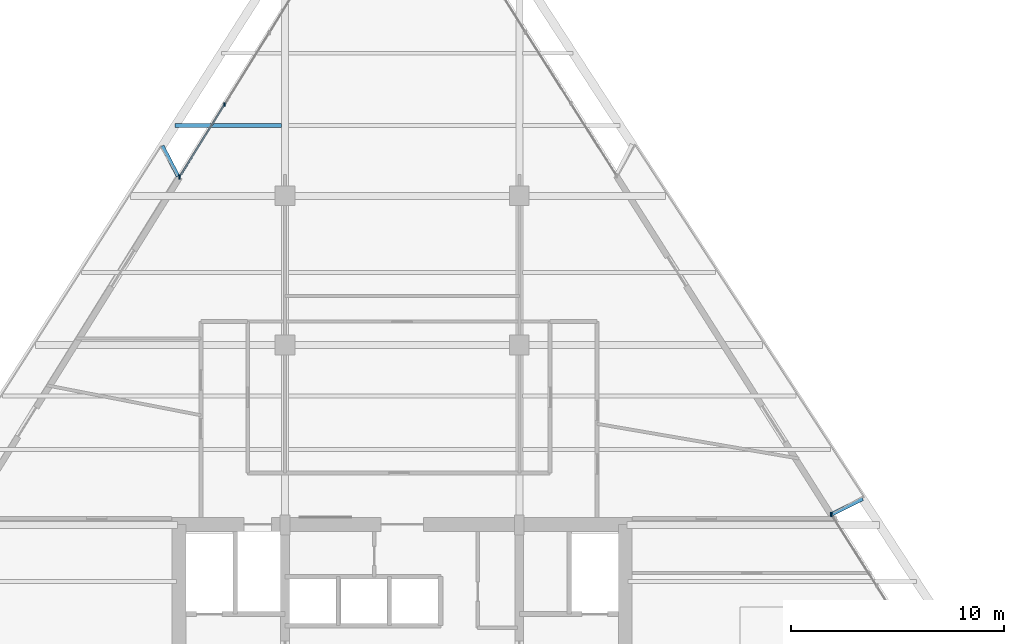
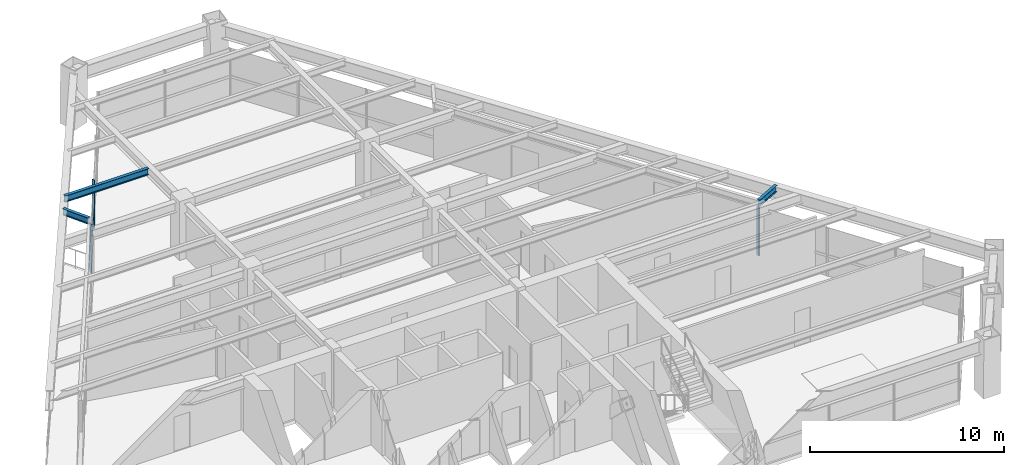
# One storey, part 8 of 15: 6 members, 3 beams, 2 elements without a shape of their own.
"""IFC4 building model written with IfcOpenShell, lengths in metres."""

from ifc_helpers import new_model, si_unit, direction, frame, origin, origin_2d, place, context, subcontext, project, spatial, rectangle, i_section, extrude, source, transform, mapped, material, material_profile, profile_set, type_object, type_shapes, element, aggregate, save


model = new_model("IFC4")

# Units and contexts
model_context = context("Model", 3, precision=1e-05, world=origin(), true_north=direction((0.0, 1.0)))
body_context = subcontext(model_context, "Body", "Model", "MODEL_VIEW")
ifc_project = project(units=[si_unit("LENGTHUNIT", "METRE"), si_unit("AREAUNIT", "SQUARE_METRE"), si_unit("VOLUMEUNIT", "CUBIC_METRE"), si_unit("PLANEANGLEUNIT", "RADIAN"), si_unit("MASSUNIT", "GRAM", prefix="KILO")], contexts=[model_context])

# Site, building, storey
site_placement = place(None, origin())
site = spatial("IfcSite", under=ifc_project, at=site_placement, CompositionType="ELEMENT")
building_placement = place(site_placement, origin())
building = spatial("IfcBuilding", under=site, at=building_placement, Name="Varnakhor Terracotta Tower", CompositionType="ELEMENT")
storey_placement = place(building_placement, frame((0.0, 0.0, 182.10009765625)))
storey = spatial("IfcBuildingStorey", under=building, at=storey_placement, Name="L46", CompositionType="ELEMENT", Elevation=182.10009765625)

# Beam
ifc_material_1 = material(Name="Steel S355", Category="steel")
ifc_material_profile_1 = material_profile(ifc_material_1, i_section(OverallWidth=0.179931640625, OverallDepth=0.4130859375, WebThickness=0.009765625, FlangeThickness=0.01611328125, FilletRadius=0.01806640625, at=origin_2d()), Name="W16X50")
ifc_profile_set_1 = profile_set([ifc_material_profile_1], Name="Steel S355")
beam_type_1 = type_object("IfcBeamType", Name="JST-W16X50", PredefinedType="JOIST", material=ifc_profile_set_1)
shared_shape_1 = source(origin(), body_context, "Body", "SweptSolid", [
    extrude(i_section(OverallWidth=0.179931640625, OverallDepth=0.4130859375, WebThickness=0.009765625, FlangeThickness=0.01611328125, FilletRadius=0.01806640625, at=origin_2d()), origin(), (0.0, 0.0, 1.0), 4.997314453125),
])
beam_1_placement = place(storey_placement, frame((-10.65576171875, 34.800048828125, 3.263427734375), z_axis=(1.0, 0.0, 0.0), x_axis=(0.0, 1.0, 0.0)))
element("IfcBeam", 1, at=beam_1_placement, inside=storey, type_object=beam_type_1, Name="L46 Composite Floor Joist 7-1", PredefinedType="JOIST", context=body_context, shape_type="MappedRepresentation", body=[
    mapped(shared_shape_1, transform((0.0, 0.0, 0.0), scale=1.0)),
])

# Curtain wall, members
ifc_material_2 = material(Name="Anodised Aluminium Curtain Wall System", Category="aluminium")
curtain_wall_type = type_object("IfcCurtainWallType", Name="CW-SYS-MID-OFFICE", PredefinedType="NOTDEFINED", material=ifc_material_2)
curtain_wall_1_placement = place(storey_placement, origin())
curtain_wall_1 = element("IfcCurtainWall", 2, at=curtain_wall_1_placement, inside=storey, type_object=curtain_wall_type, Name="L46 W Facet Curtain Wall 2", PredefinedType="NOTDEFINED")
ifc_material_3 = material(Name="Anodised Aluminium 6063-T6", Category="aluminium")
ifc_material_profile_2 = material_profile(ifc_material_3, rectangle(XDim=0.070068359375, YDim=0.175048828125, at=origin_2d()), Name="ALU MULLION 70x175")
ifc_profile_set_2 = profile_set([ifc_material_profile_2], Name="Anodised Aluminium 6063-T6")
member_type_1 = type_object("IfcMemberType", Name="CWM-03", PredefinedType="MULLION", material=ifc_profile_set_2)
shared_shape_2 = source(origin(), body_context, "Body", "SweptSolid", [
    extrude(rectangle(XDim=0.070068359375, YDim=0.175048828125, at=origin_2d()), origin(), (0.0, 0.0, 1.0), 3.0498046875),
])
type_shapes(member_type_1, [shared_shape_2])
member_1_placement = place(storey_placement, frame((-10.447998046875, 32.40673828125, 0.0), z_axis=(0.0, 0.0, 1.0), x_axis=(1.0, 0.0, 0.0)))
member_1 = element("IfcMember", 3, at=member_1_placement, type_object=member_type_1, Name="L46 W Facet Curtain Wall 2 Mullion 1", PredefinedType="MULLION", context=body_context, shape_type="MappedRepresentation", body=[
    mapped(shared_shape_2, transform((0.0, 0.0, 0.0), scale=1.0)),
])
member_2_placement = place(storey_placement, frame((-8.3427734375, 35.78564453125, 0.0), z_axis=(0.0, 0.0, 1.0), x_axis=(1.0, 0.0, 0.0)))
member_2 = element("IfcMember", 4, at=member_2_placement, type_object=member_type_1, Name="L46 W Facet Curtain Wall 2 Mullion 2", PredefinedType="MULLION", context=body_context, shape_type="MappedRepresentation", body=[
    mapped(shared_shape_2, transform((0.0, 0.0, 0.0), scale=1.0)),
])
member_3_placement = place(storey_placement, frame((-10.447021484375, 32.37060546875, 0.0), z_axis=(0.0, 0.0, 1.0), x_axis=(1.0, 0.0, 0.0)))
member_3 = element("IfcMember", 5, at=member_3_placement, type_object=member_type_1, Name="L46 W Loggia Jamb Closure Mullion 2", PredefinedType="MULLION", context=body_context, shape_type="MappedRepresentation", body=[
    mapped(shared_shape_2, transform((0.0, 0.0, 0.0), scale=1.0)),
])

curtain_wall_2_placement = place(storey_placement, origin())
curtain_wall_2 = element("IfcCurtainWall", 6, at=curtain_wall_2_placement, inside=storey, type_object=curtain_wall_type, Name="L46 E Facet Curtain Wall 2", PredefinedType="NOTDEFINED")
member_4_placement = place(storey_placement, frame((20.161376953125, 16.533935546875, 0.0), z_axis=(0.0, 0.0, 1.0), x_axis=(1.0, 0.0, 0.0)))
member_4 = element("IfcMember", 7, at=member_4_placement, type_object=member_type_1, Name="L46 E Facet Curtain Wall 2 Mullion 1", PredefinedType="MULLION", context=body_context, shape_type="MappedRepresentation", body=[
    mapped(shared_shape_2, transform((0.0, 0.0, 0.0), scale=1.0)),
])
member_5_placement = place(storey_placement, frame((20.12841796875, 16.548583984375, 0.0), z_axis=(0.0, 0.0, 1.0), x_axis=(1.0, 0.0, 0.0)))
member_5 = element("IfcMember", 8, at=member_5_placement, type_object=member_type_1, Name="L46 E Loggia Jamb Closure Mullion 2", PredefinedType="MULLION", context=body_context, shape_type="MappedRepresentation", body=[
    mapped(shared_shape_2, transform((0.0, 0.0, 0.0), scale=1.0)),
])
aggregate(curtain_wall_2, [member_4, member_5])

# Member
ifc_material_profile_3 = material_profile(ifc_material_3, rectangle(XDim=0.070068359375, YDim=0.155029296875, at=origin_2d()), Name="ALU TRANSOM 70x155")
ifc_profile_set_3 = profile_set([ifc_material_profile_3], Name="Anodised Aluminium 6063-T6")
member_type_2 = type_object("IfcMemberType", Name="CWT-03", PredefinedType="USERDEFINED", material=ifc_profile_set_3)
shared_shape_3 = source(origin(), body_context, "Body", "SweptSolid", [
    extrude(rectangle(XDim=0.070068359375, YDim=0.155029296875, at=origin_2d()), origin(), (0.0, 0.0, 1.0), 3.98095703125),
])
member_6_placement = place(storey_placement, frame((-10.447998046875, 32.40673828125, 1.281005859375), z_axis=(0.528807742788, 0.848741639822, 0.0), x_axis=(-0.848741639822, 0.528807742788, 0.0)))
member_6 = element("IfcMember", 9, at=member_6_placement, type_object=member_type_2, Name="L46 W Facet Curtain Wall 2 Transom 1", ObjectType="TRANSOM", PredefinedType="USERDEFINED", context=body_context, shape_type="MappedRepresentation", body=[
    mapped(shared_shape_3, transform((0.0, 0.0, 0.0), scale=1.0)),
])

aggregate(curtain_wall_1, [member_1, member_6, member_2, member_3])

# Beams
ifc_material_profile_4 = material_profile(ifc_material_1, i_section(OverallWidth=0.179931640625, OverallDepth=0.39990234375, WebThickness=0.008544921875, FlangeThickness=0.013427734375, FilletRadius=0.01806640625, at=origin_2d()), Name="IPE400")
ifc_profile_set_4 = profile_set([ifc_material_profile_4], Name="Steel S355")
beam_type_2 = type_object("IfcBeamType", Name="JST-IPE400", PredefinedType="JOIST", material=ifc_profile_set_4)
shared_shape_4 = source(origin(), body_context, "Body", "SweptSolid", [
    extrude(i_section(OverallWidth=0.179931640625, OverallDepth=0.39990234375, WebThickness=0.008544921875, FlangeThickness=0.013427734375, FilletRadius=0.01806640625, at=origin_2d()), origin(), (0.0, 0.0, 1.0), 1.626708984375),
])
beam_2_placement = place(storey_placement, frame((20.161865234375, 16.551513671875, 3.27001953125), z_axis=(0.894277068972, 0.447513713656, 0.0), x_axis=(-0.447513713656, 0.894277068972, 0.0)))
element("IfcBeam", 10, at=beam_2_placement, inside=storey, type_object=beam_type_2, Name="L47 E Loggia Tie Beam 2", PredefinedType="JOIST", context=body_context, shape_type="MappedRepresentation", body=[
    mapped(shared_shape_4, transform((0.0, 0.0, 0.0), scale=1.0)),
])
shared_shape_5 = source(origin(), body_context, "Body", "SweptSolid", [
    extrude(i_section(OverallWidth=0.179931640625, OverallDepth=0.39990234375, WebThickness=0.008544921875, FlangeThickness=0.013427734375, FilletRadius=0.01806640625, at=origin_2d()), origin(), (0.0, 0.0, 1.0), 1.60693359375),
])
beam_3_placement = place(storey_placement, frame((-10.52197265625, 32.42236328125, 3.27001953125), z_axis=(-0.460773849443, 0.887517582738, 0.0), x_axis=(-0.887517582738, -0.460773849443, 0.0)))
element("IfcBeam", 11, at=beam_3_placement, inside=storey, type_object=beam_type_2, Name="L47 W Loggia Tie Beam 2", PredefinedType="JOIST", context=body_context, shape_type="MappedRepresentation", body=[
    mapped(shared_shape_5, transform((0.0, 0.0, 0.0), scale=1.0)),
])

save(model, "model.ifc")
